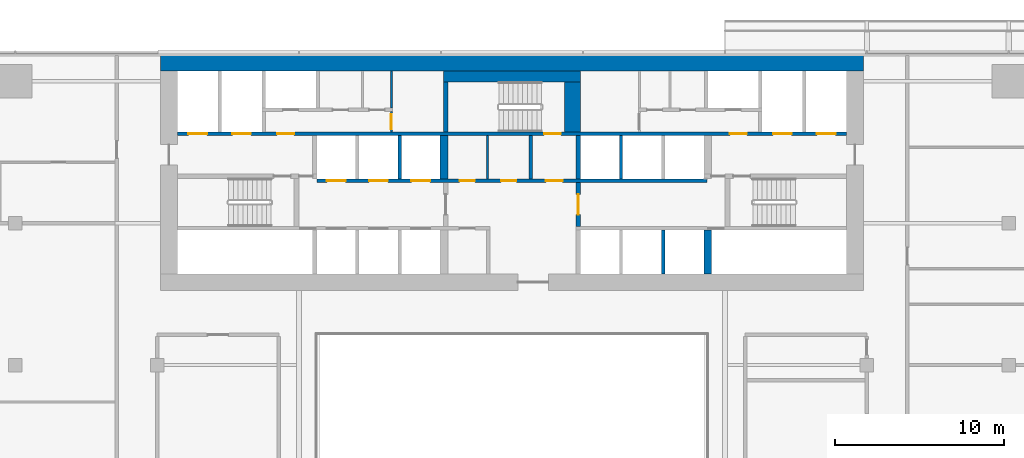
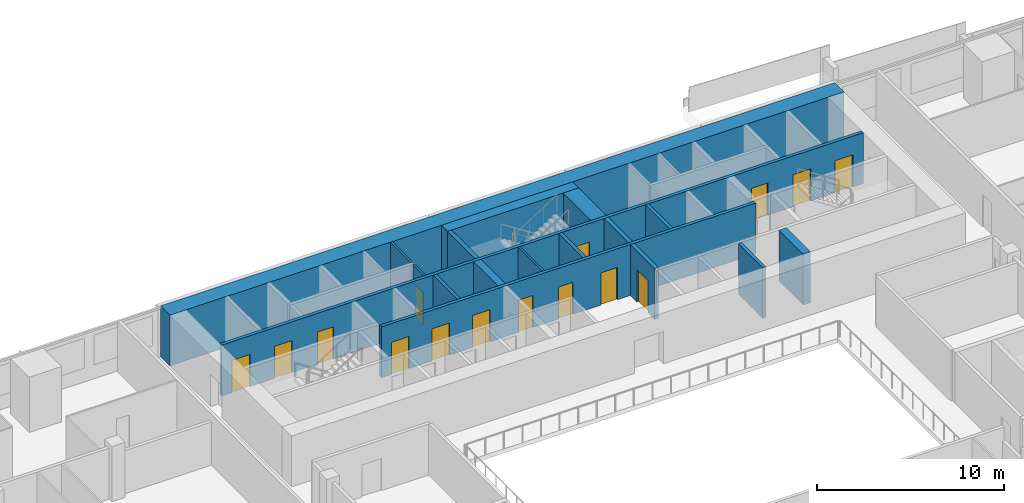
# One storey, part 21 of 29: 17 walls, 15 doors, 15 openings.
"""IFC4 building model written with IfcOpenShell, lengths in metres."""

from ifc_helpers import new_model, si_unit, direction, frame, frame_2d, origin, place, context, subcontext, project, spatial, rectangle, extrude, material, layer, layer_set, type_object, element, fill, save


model = new_model("IFC4")

# Units and contexts
model_context = context("Model", 3, precision=1e-05, world=origin(), true_north=direction((0.0, 1.0)))
body_context = subcontext(model_context, "Body", "Model", "MODEL_VIEW")
ifc_project = project(units=[si_unit("LENGTHUNIT", "METRE"), si_unit("AREAUNIT", "SQUARE_METRE"), si_unit("VOLUMEUNIT", "CUBIC_METRE"), si_unit("PLANEANGLEUNIT", "RADIAN"), si_unit("MASSUNIT", "GRAM", prefix="KILO")], contexts=[model_context])

# Site, building, storey
site_placement = place(None, origin())
site = spatial("IfcSite", under=ifc_project, at=site_placement, CompositionType="ELEMENT")
building_placement = place(site_placement, origin())
building = spatial("IfcBuilding", under=site, at=building_placement, Name="Saffron Gate Tower", CompositionType="ELEMENT")
storey_placement = place(building_placement, frame((0.0, 0.0, 116.85009765625)))
storey = spatial("IfcBuildingStorey", under=building, at=storey_placement, Name="L27", CompositionType="ELEMENT", Elevation=116.85009765625)

# Walls
ifc_material_1 = material(Name="Gypsum board partition on steel studs", Category="steel")
ifc_layer_1 = layer(ifc_material_1, 0.199951171875)
ifc_layer_set_1 = layer_set([ifc_layer_1], Name="CW10 Core partition 200")
wall_type_1 = type_object("IfcWallType", Name="CW10 Core partition 200", PredefinedType="PARTITIONING", material=ifc_layer_set_1)
wall_1_placement = place(storey_placement, frame((88.699951171875, 68.0, 0.0), z_axis=(0.0, 0.0, 1.0), x_axis=(0.0, 1.0, 0.0)))
element("IfcWall", 1, at=wall_1_placement, inside=storey, type_object=wall_type_1, Name="Wall CW10-L27-25", PredefinedType="PARTITIONING", context=body_context, shape_type="SweptSolid", body=[
    extrude(rectangle(XDim=2.60009765625, YDim=0.199951171875, at=frame_2d((1.300048828125, 0.0))), origin(), (0.0, 0.0, 1.0), 3.31982421875),
])
ifc_material_2 = material(Name="Concrete C70", Category="concrete")
ifc_layer_2 = layer(ifc_material_2, 1.0)
ifc_layer_set_2 = layer_set([ifc_layer_2], Name="CW12 RC core wall 1000 C70")
wall_type_2 = type_object("IfcWallType", Name="CW12 RC core wall 1000 C70", PredefinedType="SOLIDWALL", material=ifc_layer_set_2)
wall_2_placement = place(storey_placement, frame((66.800048828125, 74.89990234375, 0.0), z_axis=(0.0, 0.0, 1.0), x_axis=(1.0, 0.0, 0.0)))
element("IfcWall", 2, at=wall_2_placement, inside=storey, type_object=wall_type_2, Name="Wall CW12-L27-2", PredefinedType="SOLIDWALL", context=body_context, shape_type="SweptSolid", body=[
    extrude(rectangle(XDim=41.599853515625, YDim=1.0, at=frame_2d((20.7998046875, 0.0))), origin(), (0.0, 0.0, 1.0), 3.31982421875),
])

# Wall, opening, door
ifc_layer_3 = layer(ifc_material_2, 0.25)
ifc_layer_set_3 = layer_set([ifc_layer_3], Name="CW2 RC core wall 250 C70")
wall_type_3 = type_object("IfcWallType", Name="CW2 RC core wall 250 C70", PredefinedType="SOLIDWALL", material=ifc_layer_set_3)
wall_3_placement = place(storey_placement, frame((91.52490234375, 65.199951171875, 0.0), z_axis=(0.0, 0.0, 1.0), x_axis=(0.0, 1.0, 0.0)))
wall_3 = element("IfcWall", 3, at=wall_3_placement, inside=storey, type_object=wall_type_3, Name="Wall CW2-L27-18", PredefinedType="SOLIDWALL", context=body_context, shape_type="SweptSolid", body=[
    extrude(rectangle(XDim=2.60009765625, YDim=0.25, at=frame_2d((1.300048828125, 0.0))), origin(), (0.0, 0.0, 1.0), 3.31982421875),
])
opening_1_placement = place(wall_3_placement, frame((0.699951171875, 0.0, 0.0)))
opening_1 = element("IfcOpeningElement", 4, at=opening_1_placement, cuts=wall_3, Name="Opening CR-01", PredefinedType="OPENING", context=body_context, shape_type="SweptSolid", body=[
    extrude(rectangle(XDim=1.199951171875, YDim=2.10009765625, at=frame_2d((0.60009765625, 1.050048828125))), frame((0.0, 0.135009765625, 0.0), z_axis=(0.0, -1.0, 0.0), x_axis=(1.0, 0.0, 0.0)), (0.0, 0.0, 1.0), 0.27001953125),
])
ifc_material_3 = material(Name="Steel fire door set", Category="steel")
door_type_1 = type_object("IfcDoorType", Name="CD3 Lobby door 1200x2100 EI 120", OperationType="NOTDEFINED", PredefinedType="DOOR", material=ifc_material_3)
door_1_placement = place(opening_1_placement, origin())
door_1 = element("IfcDoor", 5, at=door_1_placement, inside=storey, type_object=door_type_1, Name="DOOR CR-01", OperationType="SINGLE_SWING_RIGHT", OverallHeight=2.10009765625, OverallWidth=1.199951171875, PredefinedType="DOOR", context=body_context, shape_type="SweptSolid", body=[
    extrude(rectangle(XDim=1.199951171875, YDim=2.10009765625, at=frame_2d((0.60009765625, 1.050048828125))), frame((0.0, 0.02490234375, 0.0), z_axis=(0.0, -1.0, 0.0), x_axis=(1.0, 0.0, 0.0)), (0.0, 0.0, 1.0), 0.050048828125),
])
fill(opening_1, door_1)

# Walls
wall_4_placement = place(storey_placement, frame((91.52490234375, 68.0, 0.0), z_axis=(0.0, 0.0, 1.0), x_axis=(0.0, 1.0, 0.0)))
element("IfcWall", 6, at=wall_4_placement, inside=storey, type_object=wall_type_3, Name="Wall CW2-L27-26", PredefinedType="SOLIDWALL", context=body_context, shape_type="SweptSolid", body=[
    extrude(rectangle(XDim=2.60009765625, YDim=0.25, at=frame_2d((1.300048828125, 0.0))), origin(), (0.0, 0.0, 1.0), 3.31982421875),
])
wall_5_placement = place(storey_placement, frame((83.675048828125, 70.800048828125, 0.0), z_axis=(0.0, 0.0, 1.0), x_axis=(0.0, 1.0, 0.0)))
element("IfcWall", 7, at=wall_5_placement, inside=storey, type_object=wall_type_3, Name="Wall CW2-L27-38", PredefinedType="SOLIDWALL", context=body_context, shape_type="SweptSolid", body=[
    extrude(rectangle(XDim=2.949951171875, YDim=0.25, at=frame_2d((1.47509765625, 0.0))), origin(), (0.0, 0.0, 1.0), 3.31982421875),
])
ifc_layer_4 = layer(ifc_material_2, 0.199951171875)
ifc_layer_set_4 = layer_set([ifc_layer_4], Name="CW3 RC core wall 200 C70")
wall_type_4 = type_object("IfcWallType", Name="CW3 RC core wall 200 C70", PredefinedType="SOLIDWALL", material=ifc_layer_set_4)
wall_6_placement = place(storey_placement, frame((96.550048828125, 62.39990234375, 0.0), z_axis=(0.0, 0.0, 1.0), x_axis=(0.0, 1.0, 0.0)))
element("IfcWall", 8, at=wall_6_placement, inside=storey, type_object=wall_type_4, Name="Wall CW3-L27-12", PredefinedType="SOLIDWALL", context=body_context, shape_type="SweptSolid", body=[
    extrude(rectangle(XDim=2.60009765625, YDim=0.199951171875, at=frame_2d((1.300048828125, 0.0))), origin(), (0.0, 0.0, 1.0), 3.31982421875),
])

# Wall, openings, doors
wall_7_placement = place(storey_placement, frame((76.050048828125, 67.89990234375, 0.0), z_axis=(0.0, 0.0, 1.0), x_axis=(1.0, 0.0, 0.0)))
wall_7 = element("IfcWall", 9, at=wall_7_placement, inside=storey, type_object=wall_type_4, Name="Wall CW3-L27-20", PredefinedType="SOLIDWALL", context=body_context, shape_type="SweptSolid", body=[
    extrude(rectangle(XDim=23.099853515625, YDim=0.199951171875, at=frame_2d((11.5498046875, 0.0))), origin(), (0.0, 0.0, 1.0), 3.31982421875),
])
opening_2_placement = place(wall_7_placement, frame((0.60009765625, 0.0, 0.0)))
opening_2 = element("IfcOpeningElement", 10, at=opening_2_placement, cuts=wall_7, Name="Opening LD-LR4", PredefinedType="OPENING", context=body_context, shape_type="SweptSolid", body=[
    extrude(rectangle(XDim=1.10009765625, YDim=2.10009765625, at=frame_2d((0.550048828125, 1.050048828125))), frame((0.0, 0.10986328125, 0.0), z_axis=(0.0, -1.0, 0.0), x_axis=(1.0, 0.0, 0.0)), (0.0, 0.0, 1.0), 0.219970703125),
])
opening_3_placement = place(wall_7_placement, frame((3.10009765625, 0.0, 0.0)))
opening_3 = element("IfcOpeningElement", 11, at=opening_3_placement, cuts=wall_7, Name="Opening LD-LR5", PredefinedType="OPENING", context=body_context, shape_type="SweptSolid", body=[
    extrude(rectangle(XDim=1.10009765625, YDim=2.10009765625, at=frame_2d((0.550048828125, 1.050048828125))), frame((0.0, 0.10986328125, 0.0), z_axis=(0.0, -1.0, 0.0), x_axis=(1.0, 0.0, 0.0)), (0.0, 0.0, 1.0), 0.219970703125),
])
opening_4_placement = place(wall_7_placement, frame((5.60009765625, 0.0, 0.0)))
opening_4 = element("IfcOpeningElement", 12, at=opening_4_placement, cuts=wall_7, Name="Opening LD-LR6", PredefinedType="OPENING", context=body_context, shape_type="SweptSolid", body=[
    extrude(rectangle(XDim=1.10009765625, YDim=2.10009765625, at=frame_2d((0.550048828125, 1.050048828125))), frame((0.0, 0.10986328125, 0.0), z_axis=(0.0, -1.0, 0.0), x_axis=(1.0, 0.0, 0.0)), (0.0, 0.0, 1.0), 0.219970703125),
])
opening_5_placement = place(wall_7_placement, frame((8.449951171875, 0.0, 0.0)))
opening_5 = element("IfcOpeningElement", 13, at=opening_5_placement, cuts=wall_7, Name="Opening CR-67", PredefinedType="OPENING", context=body_context, shape_type="SweptSolid", body=[
    extrude(rectangle(XDim=0.89990234375, YDim=2.10009765625, at=frame_2d((0.449951171875, 1.050048828125))), frame((0.0, 0.10986328125, 0.0), z_axis=(0.0, -1.0, 0.0), x_axis=(1.0, 0.0, 0.0)), (0.0, 0.0, 1.0), 0.219970703125),
])
opening_6_placement = place(wall_7_placement, frame((10.909912109375, 0.0, 0.0)))
opening_6 = element("IfcOpeningElement", 14, at=opening_6_placement, cuts=wall_7, Name="Opening CR-68", PredefinedType="OPENING", context=body_context, shape_type="SweptSolid", body=[
    extrude(rectangle(XDim=0.89990234375, YDim=2.10009765625, at=frame_2d((0.449951171875, 1.050048828125))), frame((0.0, 0.10986328125, 0.0), z_axis=(0.0, -1.0, 0.0), x_axis=(1.0, 0.0, 0.0)), (0.0, 0.0, 1.0), 0.219970703125),
])
opening_7_placement = place(wall_7_placement, frame((13.550048828125, 0.0, 0.0)))
opening_7 = element("IfcOpeningElement", 15, at=opening_7_placement, cuts=wall_7, Name="Opening CR-02", PredefinedType="OPENING", context=body_context, shape_type="SweptSolid", body=[
    extrude(rectangle(XDim=1.0, YDim=2.10009765625, at=frame_2d((0.5, 1.050048828125))), frame((0.0, 0.10986328125, 0.0), z_axis=(0.0, -1.0, 0.0), x_axis=(1.0, 0.0, 0.0)), (0.0, 0.0, 1.0), 0.219970703125),
])
door_type_2 = type_object("IfcDoorType", Name="CD4 Lobby door 1000x2100 EI 120", OperationType="NOTDEFINED", PredefinedType="DOOR", material=ifc_material_3)
door_2_placement = place(opening_7_placement, origin())
door_2 = element("IfcDoor", 16, at=door_2_placement, inside=storey, type_object=door_type_2, Name="DOOR CR-02", OperationType="SINGLE_SWING_LEFT", OverallHeight=2.10009765625, OverallWidth=1.0, PredefinedType="DOOR", context=body_context, shape_type="SweptSolid", body=[
    extrude(rectangle(XDim=1.0, YDim=2.10009765625, at=frame_2d((0.5, 1.050048828125))), frame((0.0, 0.02490234375, 0.0), z_axis=(0.0, -1.0, 0.0), x_axis=(1.0, 0.0, 0.0)), (0.0, 0.0, 1.0), 0.050048828125),
])
fill(opening_7, door_2)
door_type_3 = type_object("IfcDoorType", Name="CD9 Room door 900x2100 EI 60", OperationType="NOTDEFINED", PredefinedType="DOOR", material=ifc_material_3)
door_3_placement = place(opening_5_placement, origin())
door_3 = element("IfcDoor", 17, at=door_3_placement, inside=storey, type_object=door_type_3, Name="DOOR CR-67", OperationType="SINGLE_SWING_LEFT", OverallHeight=2.10009765625, OverallWidth=0.89990234375, PredefinedType="DOOR", context=body_context, shape_type="SweptSolid", body=[
    extrude(rectangle(XDim=0.89990234375, YDim=2.10009765625, at=frame_2d((0.449951171875, 1.050048828125))), frame((0.0, 0.02490234375, 0.0), z_axis=(0.0, -1.0, 0.0), x_axis=(1.0, 0.0, 0.0)), (0.0, 0.0, 1.0), 0.050048828125),
])
fill(opening_5, door_3)
door_4_placement = place(opening_6_placement, origin())
door_4 = element("IfcDoor", 18, at=door_4_placement, inside=storey, type_object=door_type_3, Name="DOOR CR-68", OperationType="SINGLE_SWING_LEFT", OverallHeight=2.10009765625, OverallWidth=0.89990234375, PredefinedType="DOOR", context=body_context, shape_type="SweptSolid", body=[
    extrude(rectangle(XDim=0.89990234375, YDim=2.10009765625, at=frame_2d((0.449951171875, 1.050048828125))), frame((0.0, 0.02490234375, 0.0), z_axis=(0.0, -1.0, 0.0), x_axis=(1.0, 0.0, 0.0)), (0.0, 0.0, 1.0), 0.050048828125),
])
fill(opening_6, door_4)
ifc_material_4 = material(Name="Stainless steel landing door", Category="steel")
door_type_4 = type_object("IfcDoorType", Name="LD Lift landing door 1100x2100 EI 120", OperationType="SLIDING_TO_LEFT", PredefinedType="DOOR", material=ifc_material_4)
door_5_placement = place(opening_2_placement, origin())
door_5 = element("IfcDoor", 19, at=door_5_placement, inside=storey, type_object=door_type_4, Name="LANDING DOOR LD-LR4", OperationType="SLIDING_TO_RIGHT", OverallHeight=2.10009765625, OverallWidth=1.10009765625, PredefinedType="DOOR", context=body_context, shape_type="SweptSolid", body=[
    extrude(rectangle(XDim=1.10009765625, YDim=2.10009765625, at=frame_2d((0.550048828125, 1.050048828125))), frame((0.0, 0.02490234375, 0.0), z_axis=(0.0, -1.0, 0.0), x_axis=(1.0, 0.0, 0.0)), (0.0, 0.0, 1.0), 0.050048828125),
])
fill(opening_2, door_5)
door_6_placement = place(opening_3_placement, origin())
door_6 = element("IfcDoor", 20, at=door_6_placement, inside=storey, type_object=door_type_4, Name="LANDING DOOR LD-LR5", OperationType="SLIDING_TO_RIGHT", OverallHeight=2.10009765625, OverallWidth=1.10009765625, PredefinedType="DOOR", context=body_context, shape_type="SweptSolid", body=[
    extrude(rectangle(XDim=1.10009765625, YDim=2.10009765625, at=frame_2d((0.550048828125, 1.050048828125))), frame((0.0, 0.02490234375, 0.0), z_axis=(0.0, -1.0, 0.0), x_axis=(1.0, 0.0, 0.0)), (0.0, 0.0, 1.0), 0.050048828125),
])
fill(opening_3, door_6)
door_7_placement = place(opening_4_placement, origin())
door_7 = element("IfcDoor", 21, at=door_7_placement, inside=storey, type_object=door_type_4, Name="LANDING DOOR LD-LR6", OperationType="SLIDING_TO_RIGHT", OverallHeight=2.10009765625, OverallWidth=1.10009765625, PredefinedType="DOOR", context=body_context, shape_type="SweptSolid", body=[
    extrude(rectangle(XDim=1.10009765625, YDim=2.10009765625, at=frame_2d((0.550048828125, 1.050048828125))), frame((0.0, 0.02490234375, 0.0), z_axis=(0.0, -1.0, 0.0), x_axis=(1.0, 0.0, 0.0)), (0.0, 0.0, 1.0), 0.050048828125),
])
fill(opening_4, door_7)

# Walls
for number, where, z_axis, x_axis, name in (
    (22, (80.949951171875, 68.0, 0.0), (0.0, 0.0, 1.0), (0.0, 1.0, 0.0), "Wall CW3-L27-22"),
    (23, (94.050048828125, 68.0, 0.0), (0.0, 0.0, 1.0), (0.0, 1.0, 0.0), "Wall CW3-L27-27"),
):
    element("IfcWall", number, at=place(storey_placement, frame(where, z_axis=z_axis, x_axis=x_axis)), inside=storey, type_object=wall_type_4, Name=name, PredefinedType="SOLIDWALL", context=body_context, shape_type="SweptSolid", body=[
        extrude(rectangle(XDim=2.60009765625, YDim=0.199951171875, at=frame_2d((1.300048828125, 0.0))), origin(), (0.0, 0.0, 1.0), 3.31982421875),
    ])

# Wall, openings, doors
wall_8_placement = place(storey_placement, frame((67.800048828125, 70.699951171875, 0.0), z_axis=(0.0, 0.0, 1.0), x_axis=(1.0, 0.0, 0.0)))
wall_8 = element("IfcWall", 24, at=wall_8_placement, inside=storey, type_object=wall_type_4, Name="Wall CW3-L27-34", PredefinedType="SOLIDWALL", context=body_context, shape_type="SweptSolid", body=[
    extrude(rectangle(XDim=39.599853515625, YDim=0.199951171875, at=frame_2d((19.7998046875, 0.0))), origin(), (0.0, 0.0, 1.0), 3.31982421875),
])
opening_8_placement = place(wall_8_placement, frame((0.64990234375, 0.0, 0.0)))
opening_8 = element("IfcOpeningElement", 25, at=opening_8_placement, cuts=wall_8, Name="Opening LD-FF1", PredefinedType="OPENING", context=body_context, shape_type="SweptSolid", body=[
    extrude(rectangle(XDim=1.10009765625, YDim=2.10009765625, at=frame_2d((0.550048828125, 1.050048828125))), frame((0.0, 0.10986328125, 0.0), z_axis=(0.0, -1.0, 0.0), x_axis=(1.0, 0.0, 0.0)), (0.0, 0.0, 1.0), 0.219970703125),
])
opening_9_placement = place(wall_8_placement, frame((3.25, 0.0, 0.0)))
opening_9 = element("IfcOpeningElement", 26, at=opening_9_placement, cuts=wall_8, Name="Opening LD-SV1", PredefinedType="OPENING", context=body_context, shape_type="SweptSolid", body=[
    extrude(rectangle(XDim=1.10009765625, YDim=2.10009765625, at=frame_2d((0.550048828125, 1.050048828125))), frame((0.0, 0.10986328125, 0.0), z_axis=(0.0, -1.0, 0.0), x_axis=(1.0, 0.0, 0.0)), (0.0, 0.0, 1.0), 0.219970703125),
])
opening_10_placement = place(wall_8_placement, frame((5.89990234375, 0.0, 0.0)))
opening_10 = element("IfcOpeningElement", 27, at=opening_10_placement, cuts=wall_8, Name="Opening CR-03", PredefinedType="OPENING", context=body_context, shape_type="SweptSolid", body=[
    extrude(rectangle(XDim=1.0, YDim=2.10009765625, at=frame_2d((0.5, 1.050048828125))), frame((0.0, 0.10986328125, 0.0), z_axis=(0.0, -1.0, 0.0), x_axis=(1.0, 0.0, 0.0)), (0.0, 0.0, 1.0), 0.219970703125),
])
opening_11_placement = place(wall_8_placement, frame((21.699951171875, 0.0, 0.0)))
opening_11 = element("IfcOpeningElement", 28, at=opening_11_placement, cuts=wall_8, Name="Opening CR-17", PredefinedType="OPENING", context=body_context, shape_type="SweptSolid", body=[
    extrude(rectangle(XDim=1.0, YDim=2.10009765625, at=frame_2d((0.5, 1.050048828125))), frame((0.0, 0.10986328125, 0.0), z_axis=(0.0, -1.0, 0.0), x_axis=(1.0, 0.0, 0.0)), (0.0, 0.0, 1.0), 0.219970703125),
])
opening_12_placement = place(wall_8_placement, frame((32.699951171875, 0.0, 0.0)))
opening_12 = element("IfcOpeningElement", 29, at=opening_12_placement, cuts=wall_8, Name="Opening CR-04", PredefinedType="OPENING", context=body_context, shape_type="SweptSolid", body=[
    extrude(rectangle(XDim=1.0, YDim=2.10009765625, at=frame_2d((0.5, 1.050048828125))), frame((0.0, 0.10986328125, 0.0), z_axis=(0.0, -1.0, 0.0), x_axis=(1.0, 0.0, 0.0)), (0.0, 0.0, 1.0), 0.219970703125),
])
opening_13_placement = place(wall_8_placement, frame((35.25, 0.0, 0.0)))
opening_13 = element("IfcOpeningElement", 30, at=opening_13_placement, cuts=wall_8, Name="Opening LD-SV2", PredefinedType="OPENING", context=body_context, shape_type="SweptSolid", body=[
    extrude(rectangle(XDim=1.10009765625, YDim=2.10009765625, at=frame_2d((0.550048828125, 1.050048828125))), frame((0.0, 0.10986328125, 0.0), z_axis=(0.0, -1.0, 0.0), x_axis=(1.0, 0.0, 0.0)), (0.0, 0.0, 1.0), 0.219970703125),
])
opening_14_placement = place(wall_8_placement, frame((37.85009765625, 0.0, 0.0)))
opening_14 = element("IfcOpeningElement", 31, at=opening_14_placement, cuts=wall_8, Name="Opening LD-FF2", PredefinedType="OPENING", context=body_context, shape_type="SweptSolid", body=[
    extrude(rectangle(XDim=1.10009765625, YDim=2.10009765625, at=frame_2d((0.550048828125, 1.050048828125))), frame((0.0, 0.10986328125, 0.0), z_axis=(0.0, -1.0, 0.0), x_axis=(1.0, 0.0, 0.0)), (0.0, 0.0, 1.0), 0.219970703125),
])
door_8_placement = place(opening_10_placement, origin())
door_8 = element("IfcDoor", 32, at=door_8_placement, inside=storey, type_object=door_type_2, Name="DOOR CR-03", OperationType="SINGLE_SWING_LEFT", OverallHeight=2.10009765625, OverallWidth=1.0, PredefinedType="DOOR", context=body_context, shape_type="SweptSolid", body=[
    extrude(rectangle(XDim=1.0, YDim=2.10009765625, at=frame_2d((0.5, 1.050048828125))), frame((0.0, 0.02490234375, 0.0), z_axis=(0.0, -1.0, 0.0), x_axis=(1.0, 0.0, 0.0)), (0.0, 0.0, 1.0), 0.050048828125),
])
fill(opening_10, door_8)
door_9_placement = place(opening_12_placement, origin())
door_9 = element("IfcDoor", 33, at=door_9_placement, inside=storey, type_object=door_type_2, Name="DOOR CR-04", OperationType="SINGLE_SWING_RIGHT", OverallHeight=2.10009765625, OverallWidth=1.0, PredefinedType="DOOR", context=body_context, shape_type="SweptSolid", body=[
    extrude(rectangle(XDim=1.0, YDim=2.10009765625, at=frame_2d((0.5, 1.050048828125))), frame((0.0, 0.02490234375, 0.0), z_axis=(0.0, -1.0, 0.0), x_axis=(1.0, 0.0, 0.0)), (0.0, 0.0, 1.0), 0.050048828125),
])
fill(opening_12, door_9)
door_type_5 = type_object("IfcDoorType", Name="CD5 Stair door 1000x2100 EI 120", OperationType="NOTDEFINED", PredefinedType="DOOR", material=ifc_material_3)
door_10_placement = place(opening_11_placement, origin())
door_10 = element("IfcDoor", 34, at=door_10_placement, inside=storey, type_object=door_type_5, Name="DOOR CR-17", OperationType="SINGLE_SWING_RIGHT", OverallHeight=2.10009765625, OverallWidth=1.0, PredefinedType="DOOR", context=body_context, shape_type="SweptSolid", body=[
    extrude(rectangle(XDim=1.0, YDim=2.10009765625, at=frame_2d((0.5, 1.050048828125))), frame((0.0, 0.02490234375, 0.0), z_axis=(0.0, -1.0, 0.0), x_axis=(1.0, 0.0, 0.0)), (0.0, 0.0, 1.0), 0.050048828125),
])
fill(opening_11, door_10)
door_11_placement = place(opening_8_placement, origin())
door_11 = element("IfcDoor", 35, at=door_11_placement, inside=storey, type_object=door_type_4, Name="LANDING DOOR LD-FF1", OperationType="SLIDING_TO_RIGHT", OverallHeight=2.10009765625, OverallWidth=1.10009765625, PredefinedType="DOOR", context=body_context, shape_type="SweptSolid", body=[
    extrude(rectangle(XDim=1.10009765625, YDim=2.10009765625, at=frame_2d((0.550048828125, 1.050048828125))), frame((0.0, 0.02490234375, 0.0), z_axis=(0.0, -1.0, 0.0), x_axis=(1.0, 0.0, 0.0)), (0.0, 0.0, 1.0), 0.050048828125),
])
fill(opening_8, door_11)
door_12_placement = place(opening_9_placement, origin())
door_12 = element("IfcDoor", 36, at=door_12_placement, inside=storey, type_object=door_type_4, Name="LANDING DOOR LD-SV1", OperationType="SLIDING_TO_RIGHT", OverallHeight=2.10009765625, OverallWidth=1.10009765625, PredefinedType="DOOR", context=body_context, shape_type="SweptSolid", body=[
    extrude(rectangle(XDim=1.10009765625, YDim=2.10009765625, at=frame_2d((0.550048828125, 1.050048828125))), frame((0.0, 0.02490234375, 0.0), z_axis=(0.0, -1.0, 0.0), x_axis=(1.0, 0.0, 0.0)), (0.0, 0.0, 1.0), 0.050048828125),
])
fill(opening_9, door_12)
door_13_placement = place(opening_13_placement, origin())
door_13 = element("IfcDoor", 37, at=door_13_placement, inside=storey, type_object=door_type_4, Name="LANDING DOOR LD-SV2", OperationType="SLIDING_TO_RIGHT", OverallHeight=2.10009765625, OverallWidth=1.10009765625, PredefinedType="DOOR", context=body_context, shape_type="SweptSolid", body=[
    extrude(rectangle(XDim=1.10009765625, YDim=2.10009765625, at=frame_2d((0.550048828125, 1.050048828125))), frame((0.0, 0.02490234375, 0.0), z_axis=(0.0, -1.0, 0.0), x_axis=(1.0, 0.0, 0.0)), (0.0, 0.0, 1.0), 0.050048828125),
])
fill(opening_13, door_13)
door_14_placement = place(opening_14_placement, origin())
door_14 = element("IfcDoor", 38, at=door_14_placement, inside=storey, type_object=door_type_4, Name="LANDING DOOR LD-FF2", OperationType="SLIDING_TO_RIGHT", OverallHeight=2.10009765625, OverallWidth=1.10009765625, PredefinedType="DOOR", context=body_context, shape_type="SweptSolid", body=[
    extrude(rectangle(XDim=1.10009765625, YDim=2.10009765625, at=frame_2d((0.550048828125, 1.050048828125))), frame((0.0, 0.02490234375, 0.0), z_axis=(0.0, -1.0, 0.0), x_axis=(1.0, 0.0, 0.0)), (0.0, 0.0, 1.0), 0.050048828125),
])
fill(opening_14, door_14)

# Walls
ifc_layer_5 = layer(ifc_material_2, 0.449951171875)
ifc_layer_set_5 = layer_set([ifc_layer_5], Name="CW4 RC core wall 450 C70")
wall_type_5 = type_object("IfcWallType", Name="CW4 RC core wall 450 C70", PredefinedType="SOLIDWALL", material=ifc_layer_set_5)
for number, where, z_axis, x_axis, name in (
    (39, (99.175048828125, 62.39990234375, 0.0), (0.0, 0.0, 1.0), (0.0, 1.0, 0.0), "Wall CW4-L27-13"),
    (40, (83.574951171875, 68.0, 0.0), (0.0, 0.0, 1.0), (0.0, 1.0, 0.0), "Wall CW4-L27-23"),
):
    element("IfcWall", number, at=place(storey_placement, frame(where, z_axis=z_axis, x_axis=x_axis)), inside=storey, type_object=wall_type_5, Name=name, PredefinedType="SOLIDWALL", context=body_context, shape_type="SweptSolid", body=[
        extrude(rectangle(XDim=2.60009765625, YDim=0.449951171875, at=frame_2d((1.300048828125, 0.0))), origin(), (0.0, 0.0, 1.0), 3.31982421875),
    ])
ifc_layer_6 = layer(ifc_material_2, 0.949951171875)
ifc_layer_set_6 = layer_set([ifc_layer_6], Name="CW7 RC core wall 950 C70")
wall_type_6 = type_object("IfcWallType", Name="CW7 RC core wall 950 C70", PredefinedType="SOLIDWALL", material=ifc_layer_set_6)
wall_9_placement = place(storey_placement, frame((91.175048828125, 70.800048828125, 0.0), z_axis=(0.0, 0.0, 1.0), x_axis=(0.0, 1.0, 0.0)))
element("IfcWall", 41, at=wall_9_placement, inside=storey, type_object=wall_type_6, Name="Wall CW7-L27-39", PredefinedType="SOLIDWALL", context=body_context, shape_type="SweptSolid", body=[
    extrude(rectangle(XDim=2.949951171875, YDim=0.949951171875, at=frame_2d((1.47509765625, 0.0))), origin(), (0.0, 0.0, 1.0), 3.31982421875),
])
ifc_layer_7 = layer(ifc_material_1, 0.1201171875)
ifc_layer_set_7 = layer_set([ifc_layer_7], Name="CW8 Core partition 120")
wall_type_7 = type_object("IfcWallType", Name="CW8 Core partition 120", PredefinedType="PARTITIONING", material=ifc_layer_set_7)
wall_10_placement = place(storey_placement, frame((86.159912109375, 68.0, 0.0), z_axis=(0.0, 0.0, 1.0), x_axis=(0.0, 1.0, 0.0)))
element("IfcWall", 42, at=wall_10_placement, inside=storey, type_object=wall_type_7, Name="Wall CW8-L27-24", PredefinedType="PARTITIONING", context=body_context, shape_type="SweptSolid", body=[
    extrude(rectangle(XDim=2.60009765625, YDim=0.1201171875, at=frame_2d((1.300048828125, 0.0))), origin(), (0.0, 0.0, 1.0), 3.31982421875),
])

# Wall, opening, door
wall_11_placement = place(storey_placement, frame((80.4599609375, 70.800048828125, 0.0), z_axis=(0.0, 0.0, 1.0), x_axis=(0.0, 1.0, 0.0)))
wall_11 = element("IfcWall", 43, at=wall_11_placement, inside=storey, type_object=wall_type_7, Name="Wall CW8-L27-37", PredefinedType="PARTITIONING", context=body_context, shape_type="SweptSolid", body=[
    extrude(rectangle(XDim=1.199951171875, YDim=0.1201171875, at=frame_2d((0.60009765625, 0.0))), origin(), (0.0, 0.0, 1.0), 3.31982421875),
])
opening_15_placement = place(wall_11_placement, frame((0.14990234375, 0.0, 0.0)))
opening_15 = element("IfcOpeningElement", 44, at=opening_15_placement, cuts=wall_11, Name="Opening CR-60", PredefinedType="OPENING", context=body_context, shape_type="SweptSolid", body=[
    extrude(rectangle(XDim=0.89990234375, YDim=2.10009765625, at=frame_2d((0.449951171875, 1.050048828125))), frame((0.0, 0.070068359375, 0.0), z_axis=(0.0, -1.0, 0.0), x_axis=(1.0, 0.0, 0.0)), (0.0, 0.0, 1.0), 0.14013671875),
])
door_15_placement = place(opening_15_placement, origin())
door_15 = element("IfcDoor", 45, at=door_15_placement, inside=storey, type_object=door_type_3, Name="DOOR CR-60", OperationType="SINGLE_SWING_RIGHT", OverallHeight=2.10009765625, OverallWidth=0.89990234375, PredefinedType="DOOR", context=body_context, shape_type="SweptSolid", body=[
    extrude(rectangle(XDim=0.89990234375, YDim=2.10009765625, at=frame_2d((0.449951171875, 1.050048828125))), frame((0.0, 0.02490234375, 0.0), z_axis=(0.0, -1.0, 0.0), x_axis=(1.0, 0.0, 0.0)), (0.0, 0.0, 1.0), 0.050048828125),
])
fill(opening_15, door_15)

# Walls
wall_12_placement = place(storey_placement, frame((80.4599609375, 72.199951171875, 0.0), z_axis=(0.0, 0.0, 1.0), x_axis=(0.0, 1.0, 0.0)))
element("IfcWall", 46, at=wall_12_placement, inside=storey, type_object=wall_type_7, Name="Wall CW8-L27-48", PredefinedType="PARTITIONING", context=body_context, shape_type="SweptSolid", body=[
    extrude(rectangle(XDim=2.199951171875, YDim=0.1201171875, at=frame_2d((1.10009765625, 0.0))), origin(), (0.0, 0.0, 1.0), 3.31982421875),
])
ifc_layer_8 = layer(ifc_material_2, 0.64990234375)
ifc_layer_set_8 = layer_set([ifc_layer_8], Name="CW9 RC core wall 650 C70")
wall_type_8 = type_object("IfcWallType", Name="CW9 RC core wall 650 C70", PredefinedType="SOLIDWALL", material=ifc_layer_set_8)
wall_13_placement = place(storey_placement, frame((83.550048828125, 74.074951171875, 0.0), z_axis=(0.0, 0.0, 1.0), x_axis=(1.0, 0.0, 0.0)))
element("IfcWall", 47, at=wall_13_placement, inside=storey, type_object=wall_type_8, Name="Wall CW9-L27-53", PredefinedType="SOLIDWALL", context=body_context, shape_type="SweptSolid", body=[
    extrude(rectangle(XDim=8.099853515625, YDim=0.64990234375, at=frame_2d((4.0498046875, 0.0))), origin(), (0.0, 0.0, 1.0), 3.31982421875),
])

save(model, "model.ifc")
